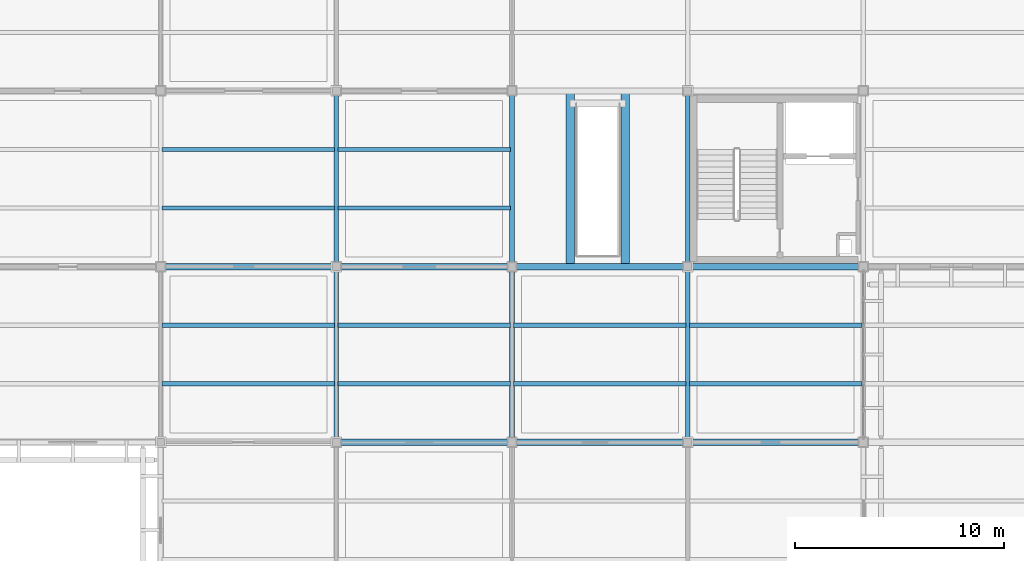
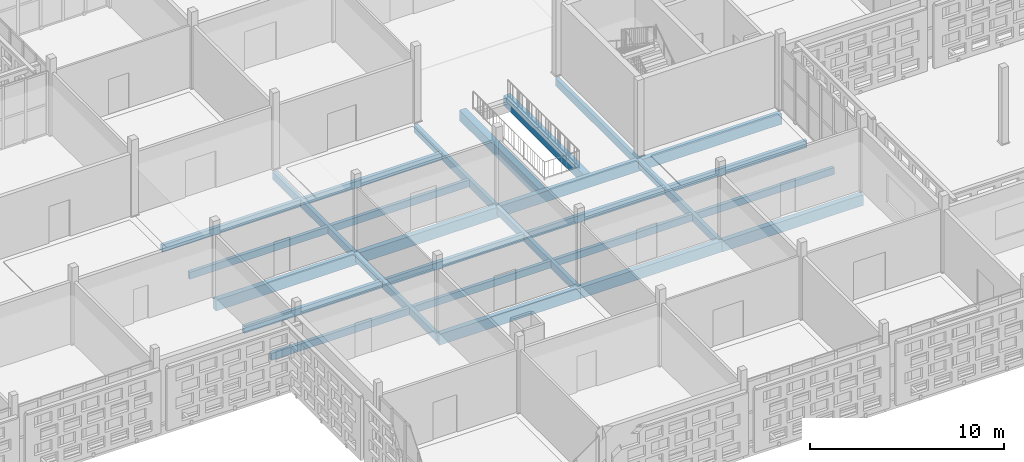
# One storey, part 67 of 203: 27 beams.
"""IFC4 building model written with IfcOpenShell, lengths in metres."""

from ifc_helpers import new_model, si_unit, direction, frame, origin, origin_2d, place, context, subcontext, project, spatial, rectangle, extrude, material, material_profile, profile_set, type_object, element, save


model = new_model("IFC4")

# Units and contexts
model_context = context("Model", 3, precision=1e-05, world=origin(), true_north=direction((0.0, 1.0)))
body_context = subcontext(model_context, "Body", "Model", "MODEL_VIEW")
ifc_project = project(units=[si_unit("LENGTHUNIT", "METRE"), si_unit("AREAUNIT", "SQUARE_METRE"), si_unit("VOLUMEUNIT", "CUBIC_METRE"), si_unit("PLANEANGLEUNIT", "RADIAN"), si_unit("MASSUNIT", "GRAM", prefix="KILO")], contexts=[model_context])

# Site, building, storey
site_placement = place(None, origin())
site = spatial("IfcSite", under=ifc_project, at=site_placement, CompositionType="ELEMENT")
building_placement = place(site_placement, origin())
building = spatial("IfcBuilding", under=site, at=building_placement, Name="Varnapada Polytechnic", CompositionType="ELEMENT")
storey_placement = place(building_placement, frame((0.0, 0.0, 4.800048828125)))
storey = spatial("IfcBuildingStorey", under=building, at=storey_placement, Name="L01", CompositionType="ELEMENT", Elevation=4.800048828125)

# Beams
ifc_material_1 = material(Name="Glulam GL32h", Category="wood")
ifc_material_profile_1 = material_profile(ifc_material_1, rectangle(XDim=0.199951171875, YDim=0.43994140625, at=origin_2d()), Name="GL 200x440")
ifc_profile_set_1 = profile_set([ifc_material_profile_1], Name="Glulam GL32h")
beam_type_1 = type_object("IfcBeamType", Name="Heavy laboratory glulam joist GJ-03 (GL 200x440)", PredefinedType="JOIST", material=ifc_profile_set_1)
for number, where, z_axis, x_axis, name in (
    (1, (126.080078125, 19.60009765625, -0.469970703125), (1.0, 0.0, 0.0), (0.0, 1.0, 0.0), "L01 floor joist 16/3.1"),
    (2, (126.080078125, 22.39990234375, -0.469970703125), (1.0, 0.0, 0.0), (0.0, 1.0, 0.0), "L01 floor joist 16/3.2"),
    (3, (126.080078125, 28.0, -0.469970703125), (1.0, 0.0, 0.0), (0.0, 1.0, 0.0), "L01 floor joist 16/4.1"),
    (4, (126.080078125, 30.800048828125, -0.469970703125), (1.0, 0.0, 0.0), (0.0, 1.0, 0.0), "L01 floor joist 16/4.2"),
    (5, (134.47998046875, 19.60009765625, -0.469970703125), (1.0, 0.0, 0.0), (0.0, 1.0, 0.0), "L01 floor joist 17/3.1"),
    (6, (134.47998046875, 22.39990234375, -0.469970703125), (1.0, 0.0, 0.0), (0.0, 1.0, 0.0), "L01 floor joist 17/3.2"),
    (7, (134.47998046875, 28.0, -0.469970703125), (1.0, 0.0, 0.0), (0.0, 1.0, 0.0), "L01 floor joist 17/4.1"),
    (8, (134.47998046875, 30.800048828125, -0.469970703125), (1.0, 0.0, 0.0), (0.0, 1.0, 0.0), "L01 floor joist 17/4.2"),
):
    element("IfcBeam", number, at=place(storey_placement, frame(where, z_axis=z_axis, x_axis=x_axis)), inside=storey, type_object=beam_type_1, Name=name, PredefinedType="JOIST", context=body_context, shape_type="SweptSolid", body=[
        extrude(rectangle(XDim=0.199951171875, YDim=0.43994140625, at=origin_2d()), origin(), (0.0, 0.0, 1.0), 8.239990234375),
    ])
for number, where, z_axis, x_axis, name in (
    (9, (142.8798828125, 19.60009765625, -0.469970703125), (1.0, 0.0, 0.0), (0.0, 1.0, 0.0), "L01 floor joist 18/3.1"),
    (10, (142.8798828125, 22.39990234375, -0.469970703125), (1.0, 0.0, 0.0), (0.0, 1.0, 0.0), "L01 floor joist 18/3.2"),
):
    element("IfcBeam", number, at=place(storey_placement, frame(where, z_axis=z_axis, x_axis=x_axis)), inside=storey, type_object=beam_type_1, Name=name, PredefinedType="JOIST", context=body_context, shape_type="SweptSolid", body=[
        extrude(rectangle(XDim=0.199951171875, YDim=0.43994140625, at=origin_2d()), origin(), (0.0, 0.0, 1.0), 8.240234375),
    ])
for number, where, z_axis, x_axis, name in (
    (11, (151.280029296875, 19.60009765625, -0.489990234375), (1.0, 0.0, 0.0), (0.0, 1.0, 0.0), "L01 floor joist 19/3.1"),
    (12, (151.280029296875, 22.39990234375, -0.489990234375), (1.0, 0.0, 0.0), (0.0, 1.0, 0.0), "L01 floor joist 19/3.2"),
):
    element("IfcBeam", number, at=place(storey_placement, frame(where, z_axis=z_axis, x_axis=x_axis)), inside=storey, type_object=beam_type_1, Name=name, PredefinedType="JOIST", context=body_context, shape_type="SweptSolid", body=[
        extrude(rectangle(XDim=0.199951171875, YDim=0.43994140625, at=origin_2d()), origin(), (0.0, 0.0, 1.0), 8.239990234375),
    ])
ifc_material_2 = material(Name="Concrete C40/50", Category="concrete")
ifc_material_profile_2 = material_profile(ifc_material_2, rectangle(XDim=0.39990234375, YDim=0.64990234375, at=origin_2d()), Name="RC 400x650")
ifc_profile_set_2 = profile_set([ifc_material_profile_2], Name="Concrete C40/50")
beam_type_2 = type_object("IfcBeamType", Name="Podium framing beam BB-02 (RC 400x650)", PredefinedType="BEAM", material=ifc_profile_set_2)
for number, where, z_axis, x_axis, name in (
    (13, (145.580078125, 25.199951171875, -0.5849609375), (0.0, 1.0, 0.0), (-1.0, 0.0, 0.0), "L01 feature stair ST-F2 trimmer girder L"),
    (14, (148.219970703125, 25.199951171875, -0.5849609375), (0.0, 1.0, 0.0), (-1.0, 0.0, 0.0), "L01 feature stair ST-F2 trimmer girder R"),
):
    element("IfcBeam", number, at=place(storey_placement, frame(where, z_axis=z_axis, x_axis=x_axis)), inside=storey, type_object=beam_type_2, Name=name, PredefinedType="BEAM", context=body_context, shape_type="SweptSolid", body=[
        extrude(rectangle(XDim=0.39990234375, YDim=0.64990234375, at=origin_2d()), origin(), (0.0, 0.0, 1.0), 8.400146484375),
    ])
ifc_material_profile_3 = material_profile(ifc_material_1, rectangle(XDim=0.219970703125, YDim=0.47998046875, at=origin_2d()), Name="GL 220x480")
ifc_profile_set_3 = profile_set([ifc_material_profile_3], Name="Glulam GL32h")
beam_type_3 = type_object("IfcBeamType", Name="Upper floor glulam tie beam GB-11 (GL 220x480)", PredefinedType="BEAM", material=ifc_profile_set_3)
beam_1_placement = place(storey_placement, frame((134.39990234375, 16.800048828125, -0.489990234375), z_axis=(0.0, 1.0, 0.0), x_axis=(-1.0, 0.0, 0.0)))
element("IfcBeam", 15, at=beam_1_placement, inside=storey, type_object=beam_type_3, Name="L01 beam Y 3-4 at X17", PredefinedType="BEAM", context=body_context, shape_type="SweptSolid", body=[
    extrude(rectangle(XDim=0.219970703125, YDim=0.47998046875, at=origin_2d()), origin(), (0.0, 0.0, 1.0), 8.39990234375),
])
beam_2_placement = place(storey_placement, frame((134.39990234375, 25.199951171875, -0.489990234375), z_axis=(0.0, 1.0, 0.0), x_axis=(-1.0, 0.0, 0.0)))
element("IfcBeam", 16, at=beam_2_placement, inside=storey, type_object=beam_type_3, Name="L01 beam Y 4-5 at X17", PredefinedType="BEAM", context=body_context, shape_type="SweptSolid", body=[
    extrude(rectangle(XDim=0.219970703125, YDim=0.47998046875, at=origin_2d()), origin(), (0.0, 0.0, 1.0), 8.400146484375),
])
beam_3_placement = place(storey_placement, frame((142.800048828125, 16.800048828125, -0.489990234375), z_axis=(0.0, 1.0, 0.0), x_axis=(-1.0, 0.0, 0.0)))
element("IfcBeam", 17, at=beam_3_placement, inside=storey, type_object=beam_type_3, Name="L01 beam Y 3-4 at X18", PredefinedType="BEAM", context=body_context, shape_type="SweptSolid", body=[
    extrude(rectangle(XDim=0.219970703125, YDim=0.47998046875, at=origin_2d()), origin(), (0.0, 0.0, 1.0), 8.39990234375),
])
beam_4_placement = place(storey_placement, frame((142.800048828125, 25.199951171875, -0.489990234375), z_axis=(0.0, 1.0, 0.0), x_axis=(-1.0, 0.0, 0.0)))
element("IfcBeam", 18, at=beam_4_placement, inside=storey, type_object=beam_type_3, Name="L01 beam Y 4-5 at X18", PredefinedType="BEAM", context=body_context, shape_type="SweptSolid", body=[
    extrude(rectangle(XDim=0.219970703125, YDim=0.47998046875, at=origin_2d()), origin(), (0.0, 0.0, 1.0), 8.400146484375),
])
beam_5_placement = place(storey_placement, frame((151.199951171875, 16.800048828125, -0.489990234375), z_axis=(0.0, 1.0, 0.0), x_axis=(-1.0, 0.0, 0.0)))
element("IfcBeam", 19, at=beam_5_placement, inside=storey, type_object=beam_type_3, Name="L01 beam Y 3-4 at X19", PredefinedType="BEAM", context=body_context, shape_type="SweptSolid", body=[
    extrude(rectangle(XDim=0.219970703125, YDim=0.47998046875, at=origin_2d()), origin(), (0.0, 0.0, 1.0), 8.39990234375),
])
beam_6_placement = place(storey_placement, frame((151.199951171875, 25.199951171875, -0.489990234375), z_axis=(0.0, 1.0, 0.0), x_axis=(-1.0, 0.0, 0.0)))
element("IfcBeam", 20, at=beam_6_placement, inside=storey, type_object=beam_type_3, Name="L01 beam Y 4-5 at X19", PredefinedType="BEAM", context=body_context, shape_type="SweptSolid", body=[
    extrude(rectangle(XDim=0.219970703125, YDim=0.47998046875, at=origin_2d()), origin(), (0.0, 0.0, 1.0), 8.400146484375),
])
ifc_material_profile_4 = material_profile(ifc_material_1, rectangle(XDim=0.300048828125, YDim=0.679931640625, at=origin_2d()), Name="GL 300x680")
ifc_profile_set_4 = profile_set([ifc_material_profile_4], Name="Glulam GL32h")
beam_type_4 = type_object("IfcBeamType", Name="Wet laboratory glulam girder GG-04 (GL 300x680)", PredefinedType="BEAM", material=ifc_profile_set_4)
beam_7_placement = place(storey_placement, frame((126.0, 25.199951171875, -0.590087890625), z_axis=(1.0, 0.0, 0.0), x_axis=(0.0, 1.0, 0.0)))
element("IfcBeam", 21, at=beam_7_placement, inside=storey, type_object=beam_type_4, Name="L01 beam X 16-17 at Y4", PredefinedType="BEAM", context=body_context, shape_type="SweptSolid", body=[
    extrude(rectangle(XDim=0.300048828125, YDim=0.679931640625, at=origin_2d()), origin(), (0.0, 0.0, 1.0), 8.39990234375),
])
for number, where, z_axis, x_axis, name in (
    (22, (134.39990234375, 16.800048828125, -0.590087890625), (1.0, 0.0, 0.0), (0.0, 1.0, 0.0), "L01 beam X 17-18 at Y3"),
    (23, (134.39990234375, 25.199951171875, -0.590087890625), (1.0, 0.0, 0.0), (0.0, 1.0, 0.0), "L01 beam X 17-18 at Y4"),
):
    element("IfcBeam", number, at=place(storey_placement, frame(where, z_axis=z_axis, x_axis=x_axis)), inside=storey, type_object=beam_type_4, Name=name, PredefinedType="BEAM", context=body_context, shape_type="SweptSolid", body=[
        extrude(rectangle(XDim=0.300048828125, YDim=0.679931640625, at=origin_2d()), origin(), (0.0, 0.0, 1.0), 8.400146484375),
    ])
for number, where, z_axis, x_axis, name in (
    (24, (142.800048828125, 16.800048828125, -0.590087890625), (1.0, 0.0, 0.0), (0.0, 1.0, 0.0), "L01 beam X 18-19 at Y3"),
    (25, (142.800048828125, 25.199951171875, -0.590087890625), (1.0, 0.0, 0.0), (0.0, 1.0, 0.0), "L01 beam X 18-19 at Y4"),
):
    element("IfcBeam", number, at=place(storey_placement, frame(where, z_axis=z_axis, x_axis=x_axis)), inside=storey, type_object=beam_type_4, Name=name, PredefinedType="BEAM", context=body_context, shape_type="SweptSolid", body=[
        extrude(rectangle(XDim=0.300048828125, YDim=0.679931640625, at=origin_2d()), origin(), (0.0, 0.0, 1.0), 8.39990234375),
    ])
for number, where, z_axis, x_axis, name in (
    (26, (151.199951171875, 16.800048828125, -0.610107421875), (1.0, 0.0, 0.0), (0.0, 1.0, 0.0), "L01 beam X 19-20 at Y3"),
    (27, (151.199951171875, 25.199951171875, -0.610107421875), (1.0, 0.0, 0.0), (0.0, 1.0, 0.0), "L01 beam X 19-20 at Y4"),
):
    element("IfcBeam", number, at=place(storey_placement, frame(where, z_axis=z_axis, x_axis=x_axis)), inside=storey, type_object=beam_type_4, Name=name, PredefinedType="BEAM", context=body_context, shape_type="SweptSolid", body=[
        extrude(rectangle(XDim=0.300048828125, YDim=0.679931640625, at=origin_2d()), origin(), (0.0, 0.0, 1.0), 8.400146484375),
    ])

save(model, "model.ifc")
